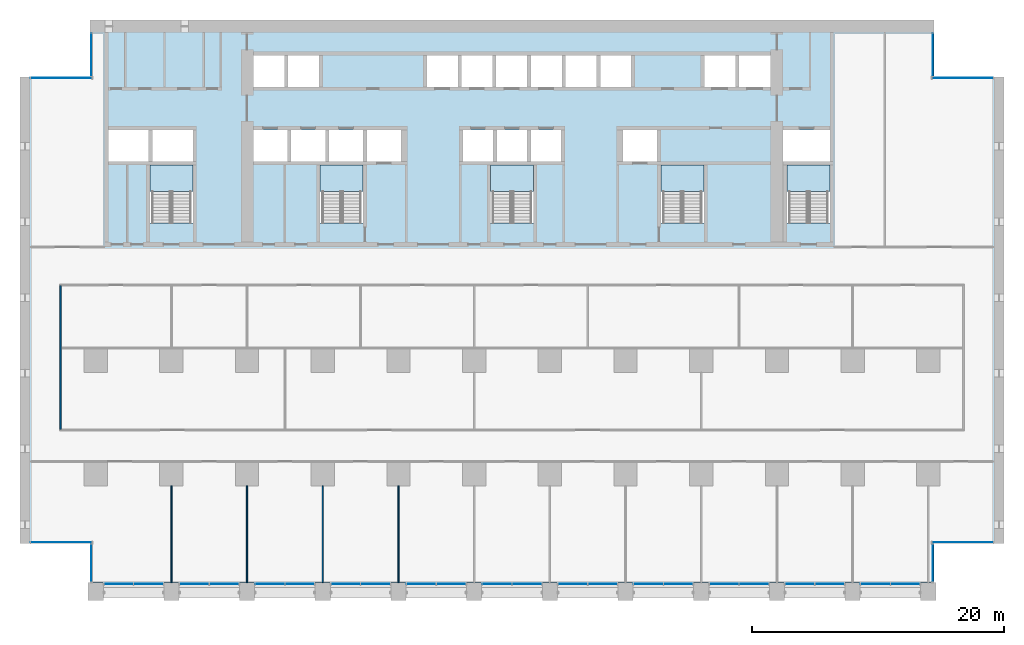
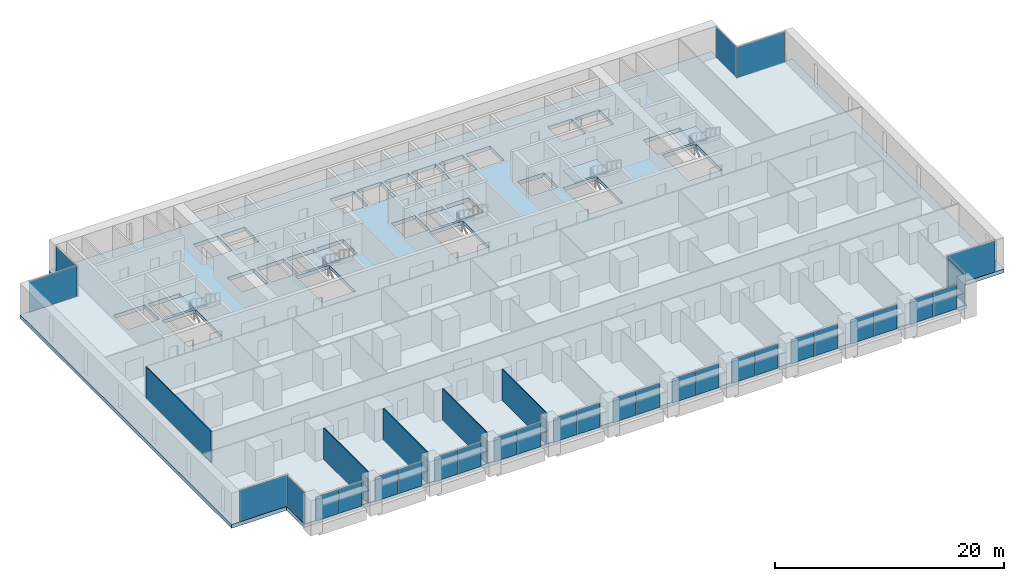
# One storey, part 7 of 18: 30 plates, 6 slabs, 5 walls, 24 elements without a shape of their own.
"""IFC4 building model written with IfcOpenShell, lengths in metres."""

from ifc_helpers import new_model, si_unit, direction, frame, frame_2d, origin, origin_2d, place, context, subcontext, project, spatial, polyline, rectangle, outline, extrude, material, layer, layer_set, type_object, element, aggregate, save


model = new_model("IFC4")

# Units and contexts
model_context = context("Model", 3, precision=1e-05, world=origin(), true_north=direction((0.0, 1.0)))
body_context = subcontext(model_context, "Body", "Model", "MODEL_VIEW")
ifc_project = project(units=[si_unit("LENGTHUNIT", "METRE"), si_unit("AREAUNIT", "SQUARE_METRE"), si_unit("VOLUMEUNIT", "CUBIC_METRE"), si_unit("PLANEANGLEUNIT", "RADIAN"), si_unit("MASSUNIT", "GRAM", prefix="KILO")], contexts=[model_context])

# Site, building, storey
site_placement = place(None, origin())
site = spatial("IfcSite", under=ifc_project, at=site_placement, CompositionType="ELEMENT")
building_placement = place(site_placement, origin())
building = spatial("IfcBuilding", under=site, at=building_placement, Name="Calvaro Tower", CompositionType="ELEMENT")
storey_placement = place(building_placement, frame((0.0, 0.0, 26.25)))
storey = spatial("IfcBuildingStorey", under=building, at=storey_placement, Name="L05", CompositionType="ELEMENT", Elevation=26.25)

# Slab
ifc_material_1 = material(Name="Concrete C40/50", Category="concrete")
ifc_layer_1 = layer(ifc_material_1, 0.39990234375)
ifc_layer_set_1 = layer_set([ifc_layer_1], Name="Concrete C40/50")
slab_type_1 = type_object("IfcSlabType", Name="Floor slab 400 C40/50", PredefinedType="FLOOR", material=ifc_layer_set_1)
slab_1_placement = place(storey_placement, frame((0.0, 0.0, -0.39990234375)))
element("IfcSlab", 1, at=slab_1_placement, inside=storey, type_object=slab_type_1, Name="Floor slab", PredefinedType="FLOOR", context=body_context, shape_type="SweptSolid", body=[
    extrude(outline(polyline([(72.449951171875, 4.5), (72.449951171875, 1.39990234375), (5.550048828125, 1.39990234375), (5.550048828125, 4.5), (0.0, 4.5), (0.0, 41.5), (5.550048828125, 41.5), (5.550048828125, 46.0), (72.449951171875, 46.0), (72.449951171875, 41.5), (78.0, 41.5), (78.0, 4.5), (72.449951171875, 4.5)]), holes=[polyline([(10.300048828125, 29.909912109375), (10.300048828125, 34.5), (12.0, 34.5), (13.699951171875, 34.5), (13.699951171875, 29.909912109375), (12.0, 29.909912109375), (10.300048828125, 29.909912109375)]), polyline([(23.800048828125, 29.909912109375), (23.800048828125, 34.5), (25.5, 34.5), (27.199951171875, 34.5), (27.199951171875, 29.909912109375), (25.5, 29.909912109375), (23.800048828125, 29.909912109375)]), polyline([(37.300048828125, 29.909912109375), (37.300048828125, 34.5), (39.0, 34.5), (40.699951171875, 34.5), (40.699951171875, 29.909912109375), (39.0, 29.909912109375), (37.300048828125, 29.909912109375)]), polyline([(50.800048828125, 29.909912109375), (50.800048828125, 34.5), (52.5, 34.5), (54.199951171875, 34.5), (54.199951171875, 29.909912109375), (52.5, 29.909912109375), (50.800048828125, 29.909912109375)]), polyline([(60.800048828125, 29.909912109375), (60.800048828125, 34.5), (62.5, 34.5), (64.199951171875, 34.5), (64.199951171875, 29.909912109375), (62.5, 29.909912109375), (60.800048828125, 29.909912109375)]), polyline([(18.5, 34.800048828125), (21.199951171875, 34.800048828125), (21.199951171875, 37.300048828125), (18.5, 37.300048828125), (18.5, 34.800048828125)]), polyline([(21.5, 34.800048828125), (24.199951171875, 34.800048828125), (24.199951171875, 37.300048828125), (21.5, 37.300048828125), (21.5, 34.800048828125)]), polyline([(24.5, 34.800048828125), (27.199951171875, 34.800048828125), (27.199951171875, 37.300048828125), (24.5, 37.300048828125), (24.5, 34.800048828125)]), polyline([(35.10009765625, 34.800048828125), (37.5, 34.800048828125), (37.5, 37.300048828125), (35.10009765625, 37.300048828125), (35.10009765625, 34.800048828125)]), polyline([(37.800048828125, 34.800048828125), (40.199951171875, 34.800048828125), (40.199951171875, 37.300048828125), (37.800048828125, 37.300048828125), (37.800048828125, 34.800048828125)]), polyline([(40.5, 34.800048828125), (42.89990234375, 34.800048828125), (42.89990234375, 37.300048828125), (40.5, 37.300048828125), (40.5, 34.800048828125)]), polyline([(18.5, 40.699951171875), (20.949951171875, 40.699951171875), (20.949951171875, 43.199951171875), (18.5, 43.199951171875), (18.5, 40.699951171875)]), polyline([(21.25, 40.699951171875), (23.699951171875, 40.699951171875), (23.699951171875, 43.199951171875), (21.25, 43.199951171875), (21.25, 40.699951171875)]), polyline([(32.25, 40.699951171875), (34.699951171875, 40.699951171875), (34.699951171875, 43.199951171875), (32.25, 43.199951171875), (32.25, 40.699951171875)]), polyline([(35.0, 40.699951171875), (37.449951171875, 40.699951171875), (37.449951171875, 43.199951171875), (35.0, 43.199951171875), (35.0, 40.699951171875)]), polyline([(37.75, 40.699951171875), (40.199951171875, 40.699951171875), (40.199951171875, 43.199951171875), (37.75, 43.199951171875), (37.75, 40.699951171875)]), polyline([(40.5, 40.699951171875), (42.949951171875, 40.699951171875), (42.949951171875, 43.199951171875), (40.5, 43.199951171875), (40.5, 40.699951171875)]), polyline([(43.25, 40.699951171875), (45.699951171875, 40.699951171875), (45.699951171875, 43.199951171875), (43.25, 43.199951171875), (43.25, 40.699951171875)]), polyline([(46.0, 40.699951171875), (48.449951171875, 40.699951171875), (48.449951171875, 43.199951171875), (46.0, 43.199951171875), (46.0, 40.699951171875)]), polyline([(54.25, 40.699951171875), (56.699951171875, 40.699951171875), (56.699951171875, 43.199951171875), (54.25, 43.199951171875), (54.25, 40.699951171875)]), polyline([(57.0, 40.699951171875), (59.5, 40.699951171875), (59.5, 43.199951171875), (57.0, 43.199951171875), (57.0, 40.699951171875)]), polyline([(7.0, 34.800048828125), (10.199951171875, 34.800048828125), (10.199951171875, 37.300048828125), (7.0, 37.300048828125), (7.0, 34.800048828125)]), polyline([(10.5, 34.800048828125), (13.699951171875, 34.800048828125), (13.699951171875, 37.300048828125), (10.5, 37.300048828125), (10.5, 34.800048828125)]), polyline([(60.5, 34.800048828125), (64.199951171875, 34.800048828125), (64.199951171875, 37.300048828125), (60.5, 37.300048828125), (60.5, 34.800048828125)]), polyline([(27.5, 34.800048828125), (30.199951171875, 34.800048828125), (30.199951171875, 37.300048828125), (27.5, 37.300048828125), (27.5, 34.800048828125)]), polyline([(47.800048828125, 34.800048828125), (50.5, 34.800048828125), (50.5, 37.300048828125), (47.800048828125, 37.300048828125), (47.800048828125, 34.800048828125)])]), origin(), (0.0, 0.0, 1.0), 0.39990234375),
])

# Curtain wall, plates
ifc_material_2 = material(Name="Anodised aluminium", Category="aluminium")
curtain_wall_type = type_object("IfcCurtainWallType", Name="Office curtain wall, lower zone", PredefinedType="NOTDEFINED", material=ifc_material_2)
curtain_wall_1_placement = place(storey_placement, origin())
curtain_wall_1 = element("IfcCurtainWall", 2, at=curtain_wall_1_placement, inside=storey, type_object=curtain_wall_type, Name="CW1 south curtain wall", PredefinedType="NOTDEFINED")
ifc_material_3 = material(Name="Glass", Category="glass")
ifc_layer_2 = layer(ifc_material_3, 0.028076171875)
ifc_layer_set_2 = layer_set([ifc_layer_2], Name="Glass")
plate_type = type_object("IfcPlateType", Name="Glass panel S1 28", PredefinedType="CURTAIN_PANEL", material=ifc_layer_set_2)
plate_1_placement = place(storey_placement, frame((7.81494140625, 1.300048828125, 0.0), z_axis=(0.0, 0.0, 1.0), x_axis=(1.0, 0.0, 0.0)))
plate_1 = element("IfcPlate", 3, at=plate_1_placement, type_object=plate_type, Name="CW1 glass panel 1.1", PredefinedType="CURTAIN_PANEL", context=body_context, shape_type="SweptSolid", body=[
    extrude(rectangle(XDim=2.31005859375, YDim=0.028076171875, at=origin_2d()), origin(), (0.0, 0.0, 1.0), 2.550048828125),
])
plate_2_placement = place(storey_placement, frame((10.18505859375, 1.300048828125, 0.0), z_axis=(0.0, 0.0, 1.0), x_axis=(1.0, 0.0, 0.0)))
plate_2 = element("IfcPlate", 4, at=plate_2_placement, type_object=plate_type, Name="CW1 glass panel 2.1", PredefinedType="CURTAIN_PANEL", context=body_context, shape_type="SweptSolid", body=[
    extrude(rectangle(XDim=2.31005859375, YDim=0.028076171875, at=origin_2d()), origin(), (0.0, 0.0, 1.0), 2.550048828125),
])
aggregate(curtain_wall_1, [plate_1, plate_2])

curtain_wall_2_placement = place(storey_placement, origin())
curtain_wall_2 = element("IfcCurtainWall", 5, at=curtain_wall_2_placement, inside=storey, type_object=curtain_wall_type, Name="CW1 south curtain wall", PredefinedType="NOTDEFINED")
plate_3_placement = place(storey_placement, frame((13.81494140625, 1.300048828125, 0.0), z_axis=(0.0, 0.0, 1.0), x_axis=(1.0, 0.0, 0.0)))
plate_3 = element("IfcPlate", 6, at=plate_3_placement, type_object=plate_type, Name="CW1 glass panel 1.1", PredefinedType="CURTAIN_PANEL", context=body_context, shape_type="SweptSolid", body=[
    extrude(rectangle(XDim=2.31005859375, YDim=0.028076171875, at=origin_2d()), origin(), (0.0, 0.0, 1.0), 2.550048828125),
])
plate_4_placement = place(storey_placement, frame((16.18505859375, 1.300048828125, 0.0), z_axis=(0.0, 0.0, 1.0), x_axis=(1.0, 0.0, 0.0)))
plate_4 = element("IfcPlate", 7, at=plate_4_placement, type_object=plate_type, Name="CW1 glass panel 2.1", PredefinedType="CURTAIN_PANEL", context=body_context, shape_type="SweptSolid", body=[
    extrude(rectangle(XDim=2.31005859375, YDim=0.028076171875, at=origin_2d()), origin(), (0.0, 0.0, 1.0), 2.550048828125),
])
aggregate(curtain_wall_2, [plate_3, plate_4])

curtain_wall_3_placement = place(storey_placement, origin())
curtain_wall_3 = element("IfcCurtainWall", 8, at=curtain_wall_3_placement, inside=storey, type_object=curtain_wall_type, Name="CW1 south curtain wall", PredefinedType="NOTDEFINED")
plate_5_placement = place(storey_placement, frame((19.81494140625, 1.300048828125, 0.0), z_axis=(0.0, 0.0, 1.0), x_axis=(1.0, 0.0, 0.0)))
plate_5 = element("IfcPlate", 9, at=plate_5_placement, type_object=plate_type, Name="CW1 glass panel 1.1", PredefinedType="CURTAIN_PANEL", context=body_context, shape_type="SweptSolid", body=[
    extrude(rectangle(XDim=2.31005859375, YDim=0.028076171875, at=origin_2d()), origin(), (0.0, 0.0, 1.0), 2.550048828125),
])
plate_6_placement = place(storey_placement, frame((22.18505859375, 1.300048828125, 0.0), z_axis=(0.0, 0.0, 1.0), x_axis=(1.0, 0.0, 0.0)))
plate_6 = element("IfcPlate", 10, at=plate_6_placement, type_object=plate_type, Name="CW1 glass panel 2.1", PredefinedType="CURTAIN_PANEL", context=body_context, shape_type="SweptSolid", body=[
    extrude(rectangle(XDim=2.31005859375, YDim=0.028076171875, at=origin_2d()), origin(), (0.0, 0.0, 1.0), 2.550048828125),
])
aggregate(curtain_wall_3, [plate_5, plate_6])

curtain_wall_4_placement = place(storey_placement, origin())
curtain_wall_4 = element("IfcCurtainWall", 11, at=curtain_wall_4_placement, inside=storey, type_object=curtain_wall_type, Name="CW1 south curtain wall", PredefinedType="NOTDEFINED")
plate_7_placement = place(storey_placement, frame((25.81494140625, 1.300048828125, 0.0), z_axis=(0.0, 0.0, 1.0), x_axis=(1.0, 0.0, 0.0)))
plate_7 = element("IfcPlate", 12, at=plate_7_placement, type_object=plate_type, Name="CW1 glass panel 1.1", PredefinedType="CURTAIN_PANEL", context=body_context, shape_type="SweptSolid", body=[
    extrude(rectangle(XDim=2.31005859375, YDim=0.028076171875, at=origin_2d()), origin(), (0.0, 0.0, 1.0), 2.550048828125),
])
plate_8_placement = place(storey_placement, frame((28.18505859375, 1.300048828125, 0.0), z_axis=(0.0, 0.0, 1.0), x_axis=(1.0, 0.0, 0.0)))
plate_8 = element("IfcPlate", 13, at=plate_8_placement, type_object=plate_type, Name="CW1 glass panel 2.1", PredefinedType="CURTAIN_PANEL", context=body_context, shape_type="SweptSolid", body=[
    extrude(rectangle(XDim=2.31005859375, YDim=0.028076171875, at=origin_2d()), origin(), (0.0, 0.0, 1.0), 2.550048828125),
])
aggregate(curtain_wall_4, [plate_7, plate_8])

curtain_wall_5_placement = place(storey_placement, origin())
curtain_wall_5 = element("IfcCurtainWall", 14, at=curtain_wall_5_placement, inside=storey, type_object=curtain_wall_type, Name="CW1 south curtain wall", PredefinedType="NOTDEFINED")
plate_9_placement = place(storey_placement, frame((31.81494140625, 1.300048828125, 0.0), z_axis=(0.0, 0.0, 1.0), x_axis=(1.0, 0.0, 0.0)))
plate_9 = element("IfcPlate", 15, at=plate_9_placement, type_object=plate_type, Name="CW1 glass panel 1.1", PredefinedType="CURTAIN_PANEL", context=body_context, shape_type="SweptSolid", body=[
    extrude(rectangle(XDim=2.31005859375, YDim=0.028076171875, at=origin_2d()), origin(), (0.0, 0.0, 1.0), 2.550048828125),
])
plate_10_placement = place(storey_placement, frame((34.18505859375, 1.300048828125, 0.0), z_axis=(0.0, 0.0, 1.0), x_axis=(1.0, 0.0, 0.0)))
plate_10 = element("IfcPlate", 16, at=plate_10_placement, type_object=plate_type, Name="CW1 glass panel 2.1", PredefinedType="CURTAIN_PANEL", context=body_context, shape_type="SweptSolid", body=[
    extrude(rectangle(XDim=2.31005859375, YDim=0.028076171875, at=origin_2d()), origin(), (0.0, 0.0, 1.0), 2.550048828125),
])
aggregate(curtain_wall_5, [plate_9, plate_10])

curtain_wall_6_placement = place(storey_placement, origin())
curtain_wall_6 = element("IfcCurtainWall", 17, at=curtain_wall_6_placement, inside=storey, type_object=curtain_wall_type, Name="CW1 south curtain wall", PredefinedType="NOTDEFINED")
plate_11_placement = place(storey_placement, frame((37.81494140625, 1.300048828125, 0.0), z_axis=(0.0, 0.0, 1.0), x_axis=(1.0, 0.0, 0.0)))
plate_11 = element("IfcPlate", 18, at=plate_11_placement, type_object=plate_type, Name="CW1 glass panel 1.1", PredefinedType="CURTAIN_PANEL", context=body_context, shape_type="SweptSolid", body=[
    extrude(rectangle(XDim=2.31005859375, YDim=0.028076171875, at=origin_2d()), origin(), (0.0, 0.0, 1.0), 2.550048828125),
])
plate_12_placement = place(storey_placement, frame((40.18505859375, 1.300048828125, 0.0), z_axis=(0.0, 0.0, 1.0), x_axis=(1.0, 0.0, 0.0)))
plate_12 = element("IfcPlate", 19, at=plate_12_placement, type_object=plate_type, Name="CW1 glass panel 2.1", PredefinedType="CURTAIN_PANEL", context=body_context, shape_type="SweptSolid", body=[
    extrude(rectangle(XDim=2.31005859375, YDim=0.028076171875, at=origin_2d()), origin(), (0.0, 0.0, 1.0), 2.550048828125),
])
aggregate(curtain_wall_6, [plate_11, plate_12])

curtain_wall_7_placement = place(storey_placement, origin())
curtain_wall_7 = element("IfcCurtainWall", 20, at=curtain_wall_7_placement, inside=storey, type_object=curtain_wall_type, Name="CW1 south curtain wall", PredefinedType="NOTDEFINED")
plate_13_placement = place(storey_placement, frame((43.81494140625, 1.300048828125, 0.0), z_axis=(0.0, 0.0, 1.0), x_axis=(1.0, 0.0, 0.0)))
plate_13 = element("IfcPlate", 21, at=plate_13_placement, type_object=plate_type, Name="CW1 glass panel 1.1", PredefinedType="CURTAIN_PANEL", context=body_context, shape_type="SweptSolid", body=[
    extrude(rectangle(XDim=2.31005859375, YDim=0.028076171875, at=origin_2d()), origin(), (0.0, 0.0, 1.0), 2.550048828125),
])
plate_14_placement = place(storey_placement, frame((46.18505859375, 1.300048828125, 0.0), z_axis=(0.0, 0.0, 1.0), x_axis=(1.0, 0.0, 0.0)))
plate_14 = element("IfcPlate", 22, at=plate_14_placement, type_object=plate_type, Name="CW1 glass panel 2.1", PredefinedType="CURTAIN_PANEL", context=body_context, shape_type="SweptSolid", body=[
    extrude(rectangle(XDim=2.31005859375, YDim=0.028076171875, at=origin_2d()), origin(), (0.0, 0.0, 1.0), 2.550048828125),
])
aggregate(curtain_wall_7, [plate_13, plate_14])

curtain_wall_8_placement = place(storey_placement, origin())
curtain_wall_8 = element("IfcCurtainWall", 23, at=curtain_wall_8_placement, inside=storey, type_object=curtain_wall_type, Name="CW1 south curtain wall", PredefinedType="NOTDEFINED")
plate_15_placement = place(storey_placement, frame((49.81494140625, 1.300048828125, 0.0), z_axis=(0.0, 0.0, 1.0), x_axis=(1.0, 0.0, 0.0)))
plate_15 = element("IfcPlate", 24, at=plate_15_placement, type_object=plate_type, Name="CW1 glass panel 1.1", PredefinedType="CURTAIN_PANEL", context=body_context, shape_type="SweptSolid", body=[
    extrude(rectangle(XDim=2.31005859375, YDim=0.028076171875, at=origin_2d()), origin(), (0.0, 0.0, 1.0), 2.550048828125),
])
plate_16_placement = place(storey_placement, frame((52.18505859375, 1.300048828125, 0.0), z_axis=(0.0, 0.0, 1.0), x_axis=(1.0, 0.0, 0.0)))
plate_16 = element("IfcPlate", 25, at=plate_16_placement, type_object=plate_type, Name="CW1 glass panel 2.1", PredefinedType="CURTAIN_PANEL", context=body_context, shape_type="SweptSolid", body=[
    extrude(rectangle(XDim=2.31005859375, YDim=0.028076171875, at=origin_2d()), origin(), (0.0, 0.0, 1.0), 2.550048828125),
])
aggregate(curtain_wall_8, [plate_15, plate_16])

curtain_wall_9_placement = place(storey_placement, origin())
curtain_wall_9 = element("IfcCurtainWall", 26, at=curtain_wall_9_placement, inside=storey, type_object=curtain_wall_type, Name="CW1 south curtain wall", PredefinedType="NOTDEFINED")
plate_17_placement = place(storey_placement, frame((55.81494140625, 1.300048828125, 0.0), z_axis=(0.0, 0.0, 1.0), x_axis=(1.0, 0.0, 0.0)))
plate_17 = element("IfcPlate", 27, at=plate_17_placement, type_object=plate_type, Name="CW1 glass panel 1.1", PredefinedType="CURTAIN_PANEL", context=body_context, shape_type="SweptSolid", body=[
    extrude(rectangle(XDim=2.31005859375, YDim=0.028076171875, at=origin_2d()), origin(), (0.0, 0.0, 1.0), 2.550048828125),
])
plate_18_placement = place(storey_placement, frame((58.18505859375, 1.300048828125, 0.0), z_axis=(0.0, 0.0, 1.0), x_axis=(1.0, 0.0, 0.0)))
plate_18 = element("IfcPlate", 28, at=plate_18_placement, type_object=plate_type, Name="CW1 glass panel 2.1", PredefinedType="CURTAIN_PANEL", context=body_context, shape_type="SweptSolid", body=[
    extrude(rectangle(XDim=2.31005859375, YDim=0.028076171875, at=origin_2d()), origin(), (0.0, 0.0, 1.0), 2.550048828125),
])
aggregate(curtain_wall_9, [plate_17, plate_18])

curtain_wall_10_placement = place(storey_placement, origin())
curtain_wall_10 = element("IfcCurtainWall", 29, at=curtain_wall_10_placement, inside=storey, type_object=curtain_wall_type, Name="CW1 south curtain wall", PredefinedType="NOTDEFINED")
plate_19_placement = place(storey_placement, frame((61.81494140625, 1.300048828125, 0.0), z_axis=(0.0, 0.0, 1.0), x_axis=(1.0, 0.0, 0.0)))
plate_19 = element("IfcPlate", 30, at=plate_19_placement, type_object=plate_type, Name="CW1 glass panel 1.1", PredefinedType="CURTAIN_PANEL", context=body_context, shape_type="SweptSolid", body=[
    extrude(rectangle(XDim=2.31005859375, YDim=0.028076171875, at=origin_2d()), origin(), (0.0, 0.0, 1.0), 2.550048828125),
])
plate_20_placement = place(storey_placement, frame((64.18505859375, 1.300048828125, 0.0), z_axis=(0.0, 0.0, 1.0), x_axis=(1.0, 0.0, 0.0)))
plate_20 = element("IfcPlate", 31, at=plate_20_placement, type_object=plate_type, Name="CW1 glass panel 2.1", PredefinedType="CURTAIN_PANEL", context=body_context, shape_type="SweptSolid", body=[
    extrude(rectangle(XDim=2.31005859375, YDim=0.028076171875, at=origin_2d()), origin(), (0.0, 0.0, 1.0), 2.550048828125),
])
aggregate(curtain_wall_10, [plate_19, plate_20])

curtain_wall_11_placement = place(storey_placement, origin())
curtain_wall_11 = element("IfcCurtainWall", 32, at=curtain_wall_11_placement, inside=storey, type_object=curtain_wall_type, Name="CW1 south curtain wall", PredefinedType="NOTDEFINED")
plate_21_placement = place(storey_placement, frame((67.81494140625, 1.300048828125, 0.0), z_axis=(0.0, 0.0, 1.0), x_axis=(1.0, 0.0, 0.0)))
plate_21 = element("IfcPlate", 33, at=plate_21_placement, type_object=plate_type, Name="CW1 glass panel 1.1", PredefinedType="CURTAIN_PANEL", context=body_context, shape_type="SweptSolid", body=[
    extrude(rectangle(XDim=2.31005859375, YDim=0.028076171875, at=origin_2d()), origin(), (0.0, 0.0, 1.0), 2.550048828125),
])
plate_22_placement = place(storey_placement, frame((70.18505859375, 1.300048828125, 0.0), z_axis=(0.0, 0.0, 1.0), x_axis=(1.0, 0.0, 0.0)))
plate_22 = element("IfcPlate", 34, at=plate_22_placement, type_object=plate_type, Name="CW1 glass panel 2.1", PredefinedType="CURTAIN_PANEL", context=body_context, shape_type="SweptSolid", body=[
    extrude(rectangle(XDim=2.31005859375, YDim=0.028076171875, at=origin_2d()), origin(), (0.0, 0.0, 1.0), 2.550048828125),
])
aggregate(curtain_wall_11, [plate_21, plate_22])

# Curtain wall, plate
curtain_wall_12_placement = place(storey_placement, origin())
curtain_wall_12 = element("IfcCurtainWall", 35, at=curtain_wall_12_placement, inside=storey, type_object=curtain_wall_type, Name="CW1 corner curtain wall", PredefinedType="NOTDEFINED")
plate_23_placement = place(storey_placement, frame((5.64990234375, 2.949951171875, 0.0), z_axis=(0.0, 0.0, 1.0), x_axis=(0.0, 1.0, 0.0)))
plate_23 = element("IfcPlate", 36, at=plate_23_placement, type_object=plate_type, Name="CW1 glass panel 1.1", PredefinedType="CURTAIN_PANEL", context=body_context, shape_type="SweptSolid", body=[
    extrude(rectangle(XDim=2.97998046875, YDim=0.028076171875, at=origin_2d()), origin(), (0.0, 0.0, 1.0), 3.25),
])
aggregate(curtain_wall_12, [plate_23])

curtain_wall_13_placement = place(storey_placement, origin())
curtain_wall_13 = element("IfcCurtainWall", 37, at=curtain_wall_13_placement, inside=storey, type_object=curtain_wall_type, Name="CW1 corner curtain wall", PredefinedType="NOTDEFINED")
plate_24_placement = place(storey_placement, frame((3.27490234375, 4.60009765625, 0.0), z_axis=(0.0, 0.0, 1.0), x_axis=(1.0, 0.0, 0.0)))
plate_24 = element("IfcPlate", 38, at=plate_24_placement, type_object=plate_type, Name="CW1 glass panel 1.1", PredefinedType="CURTAIN_PANEL", context=body_context, shape_type="SweptSolid", body=[
    extrude(rectangle(XDim=4.830078125, YDim=0.028076171875, at=origin_2d()), origin(), (0.0, 0.0, 1.0), 3.25),
])
aggregate(curtain_wall_13, [plate_24])

curtain_wall_14_placement = place(storey_placement, origin())
curtain_wall_14 = element("IfcCurtainWall", 39, at=curtain_wall_14_placement, inside=storey, type_object=curtain_wall_type, Name="CW1 corner curtain wall", PredefinedType="NOTDEFINED")
plate_25_placement = place(storey_placement, frame((5.64990234375, 43.25, 0.0), z_axis=(0.0, 0.0, 1.0), x_axis=(0.0, 1.0, 0.0)))
plate_25 = element("IfcPlate", 40, at=plate_25_placement, type_object=plate_type, Name="CW1 glass panel 1.1", PredefinedType="CURTAIN_PANEL", context=body_context, shape_type="SweptSolid", body=[
    extrude(rectangle(XDim=3.3798828125, YDim=0.028076171875, at=origin_2d()), origin(), (0.0, 0.0, 1.0), 3.25),
])
aggregate(curtain_wall_14, [plate_25])

curtain_wall_15_placement = place(storey_placement, origin())
curtain_wall_15 = element("IfcCurtainWall", 41, at=curtain_wall_15_placement, inside=storey, type_object=curtain_wall_type, Name="CW1 corner curtain wall", PredefinedType="NOTDEFINED")
plate_26_placement = place(storey_placement, frame((3.27490234375, 41.39990234375, 0.0), z_axis=(0.0, 0.0, 1.0), x_axis=(1.0, 0.0, 0.0)))
plate_26 = element("IfcPlate", 42, at=plate_26_placement, type_object=plate_type, Name="CW1 glass panel 1.1", PredefinedType="CURTAIN_PANEL", context=body_context, shape_type="SweptSolid", body=[
    extrude(rectangle(XDim=4.830078125, YDim=0.028076171875, at=origin_2d()), origin(), (0.0, 0.0, 1.0), 3.25),
])
aggregate(curtain_wall_15, [plate_26])

curtain_wall_16_placement = place(storey_placement, origin())
curtain_wall_16 = element("IfcCurtainWall", 43, at=curtain_wall_16_placement, inside=storey, type_object=curtain_wall_type, Name="CW1 corner curtain wall", PredefinedType="NOTDEFINED")
plate_27_placement = place(storey_placement, frame((72.35009765625, 2.949951171875, 0.0), z_axis=(0.0, 0.0, 1.0), x_axis=(0.0, 1.0, 0.0)))
plate_27 = element("IfcPlate", 44, at=plate_27_placement, type_object=plate_type, Name="CW1 glass panel 1.1", PredefinedType="CURTAIN_PANEL", context=body_context, shape_type="SweptSolid", body=[
    extrude(rectangle(XDim=2.97998046875, YDim=0.028076171875, at=origin_2d()), origin(), (0.0, 0.0, 1.0), 3.25),
])
aggregate(curtain_wall_16, [plate_27])

curtain_wall_17_placement = place(storey_placement, origin())
curtain_wall_17 = element("IfcCurtainWall", 45, at=curtain_wall_17_placement, inside=storey, type_object=curtain_wall_type, Name="CW1 corner curtain wall", PredefinedType="NOTDEFINED")
plate_28_placement = place(storey_placement, frame((74.72509765625, 4.60009765625, 0.0), z_axis=(0.0, 0.0, 1.0), x_axis=(1.0, 0.0, 0.0)))
plate_28 = element("IfcPlate", 46, at=plate_28_placement, type_object=plate_type, Name="CW1 glass panel 1.1", PredefinedType="CURTAIN_PANEL", context=body_context, shape_type="SweptSolid", body=[
    extrude(rectangle(XDim=4.830078125, YDim=0.028076171875, at=origin_2d()), origin(), (0.0, 0.0, 1.0), 3.25),
])
aggregate(curtain_wall_17, [plate_28])

curtain_wall_18_placement = place(storey_placement, origin())
curtain_wall_18 = element("IfcCurtainWall", 47, at=curtain_wall_18_placement, inside=storey, type_object=curtain_wall_type, Name="CW1 corner curtain wall", PredefinedType="NOTDEFINED")
plate_29_placement = place(storey_placement, frame((72.35009765625, 43.25, 0.0), z_axis=(0.0, 0.0, 1.0), x_axis=(0.0, 1.0, 0.0)))
plate_29 = element("IfcPlate", 48, at=plate_29_placement, type_object=plate_type, Name="CW1 glass panel 1.1", PredefinedType="CURTAIN_PANEL", context=body_context, shape_type="SweptSolid", body=[
    extrude(rectangle(XDim=3.3798828125, YDim=0.028076171875, at=origin_2d()), origin(), (0.0, 0.0, 1.0), 3.25),
])
aggregate(curtain_wall_18, [plate_29])

curtain_wall_19_placement = place(storey_placement, origin())
curtain_wall_19 = element("IfcCurtainWall", 49, at=curtain_wall_19_placement, inside=storey, type_object=curtain_wall_type, Name="CW1 corner curtain wall", PredefinedType="NOTDEFINED")
plate_30_placement = place(storey_placement, frame((74.72509765625, 41.39990234375, 0.0), z_axis=(0.0, 0.0, 1.0), x_axis=(1.0, 0.0, 0.0)))
plate_30 = element("IfcPlate", 50, at=plate_30_placement, type_object=plate_type, Name="CW1 glass panel 1.1", PredefinedType="CURTAIN_PANEL", context=body_context, shape_type="SweptSolid", body=[
    extrude(rectangle(XDim=4.830078125, YDim=0.028076171875, at=origin_2d()), origin(), (0.0, 0.0, 1.0), 3.25),
])
aggregate(curtain_wall_19, [plate_30])

# Stair, slab
ifc_material_4 = material(Name="Concrete C40/50", Category="concrete")
stair_type = type_object("IfcStairType", Name="Exit stair 1400 2 flights", PredefinedType="HALF_TURN_STAIR", material=ifc_material_4)
stair_1_placement = place(storey_placement, origin())
stair_1 = element("IfcStair", 51, at=stair_1_placement, inside=storey, type_object=stair_type, Name="Exit stair S1", PredefinedType="HALF_TURN_STAIR")
ifc_material_5 = material(Name="Concrete C40/50", Category="concrete")
ifc_layer_3 = layer(ifc_material_5, 0.199951171875)
ifc_layer_set_3 = layer_set([ifc_layer_3], Name="Concrete C40/50")
slab_type_2 = type_object("IfcSlabType", Name="Stair landing", PredefinedType="LANDING", material=ifc_layer_set_3)
slab_2_placement = place(storey_placement, frame((0.0, 0.0, 1.675048828125)))
slab_2 = element("IfcSlab", 52, at=slab_2_placement, type_object=slab_type_2, Name="Exit stair 1, landing 1", PredefinedType="LANDING", context=body_context, shape_type="SweptSolid", body=[
    extrude(outline(polyline([(11.89990234375, 32.389892578125), (10.5, 32.389892578125), (10.5, 32.39990234375), (10.300048828125, 32.39990234375), (10.300048828125, 34.5), (10.5, 34.5), (11.89990234375, 34.5), (12.10009765625, 34.5), (13.5, 34.5), (13.699951171875, 34.5), (13.699951171875, 32.39990234375), (13.5, 32.39990234375), (13.5, 32.389892578125), (12.10009765625, 32.389892578125), (12.10009765625, 32.39990234375), (11.89990234375, 32.39990234375), (11.89990234375, 32.389892578125)])), origin(), (0.0, 0.0, 1.0), 0.199951171875),
])
aggregate(stair_1, [slab_2])

stair_2_placement = place(storey_placement, origin())
stair_2 = element("IfcStair", 53, at=stair_2_placement, inside=storey, type_object=stair_type, Name="Exit stair S2", PredefinedType="HALF_TURN_STAIR")
slab_3_placement = place(storey_placement, frame((0.0, 0.0, 1.675048828125)))
slab_3 = element("IfcSlab", 54, at=slab_3_placement, type_object=slab_type_2, Name="Exit stair 2, landing 1", PredefinedType="LANDING", context=body_context, shape_type="SweptSolid", body=[
    extrude(outline(polyline([(25.39990234375, 32.389892578125), (24.0, 32.389892578125), (24.0, 32.39990234375), (23.800048828125, 32.39990234375), (23.800048828125, 34.5), (24.0, 34.5), (25.39990234375, 34.5), (25.60009765625, 34.5), (27.0, 34.5), (27.199951171875, 34.5), (27.199951171875, 32.39990234375), (27.0, 32.39990234375), (27.0, 32.389892578125), (25.60009765625, 32.389892578125), (25.60009765625, 32.39990234375), (25.39990234375, 32.39990234375), (25.39990234375, 32.389892578125)])), origin(), (0.0, 0.0, 1.0), 0.199951171875),
])
aggregate(stair_2, [slab_3])

stair_3_placement = place(storey_placement, origin())
stair_3 = element("IfcStair", 55, at=stair_3_placement, inside=storey, type_object=stair_type, Name="Exit stair S3", PredefinedType="HALF_TURN_STAIR")
slab_4_placement = place(storey_placement, frame((0.0, 0.0, 1.675048828125)))
slab_4 = element("IfcSlab", 56, at=slab_4_placement, type_object=slab_type_2, Name="Exit stair 3, landing 1", PredefinedType="LANDING", context=body_context, shape_type="SweptSolid", body=[
    extrude(outline(polyline([(38.89990234375, 32.389892578125), (37.5, 32.389892578125), (37.5, 32.39990234375), (37.300048828125, 32.39990234375), (37.300048828125, 34.5), (37.5, 34.5), (38.89990234375, 34.5), (39.10009765625, 34.5), (40.5, 34.5), (40.699951171875, 34.5), (40.699951171875, 32.39990234375), (40.5, 32.39990234375), (40.5, 32.389892578125), (39.10009765625, 32.389892578125), (39.10009765625, 32.39990234375), (38.89990234375, 32.39990234375), (38.89990234375, 32.389892578125)])), origin(), (0.0, 0.0, 1.0), 0.199951171875),
])
aggregate(stair_3, [slab_4])

stair_4_placement = place(storey_placement, origin())
stair_4 = element("IfcStair", 57, at=stair_4_placement, inside=storey, type_object=stair_type, Name="Exit stair S4", PredefinedType="HALF_TURN_STAIR")
slab_5_placement = place(storey_placement, frame((0.0, 0.0, 1.675048828125)))
slab_5 = element("IfcSlab", 58, at=slab_5_placement, type_object=slab_type_2, Name="Exit stair 4, landing 1", PredefinedType="LANDING", context=body_context, shape_type="SweptSolid", body=[
    extrude(outline(polyline([(52.39990234375, 32.389892578125), (51.0, 32.389892578125), (51.0, 32.39990234375), (50.800048828125, 32.39990234375), (50.800048828125, 34.5), (51.0, 34.5), (52.39990234375, 34.5), (52.60009765625, 34.5), (54.0, 34.5), (54.199951171875, 34.5), (54.199951171875, 32.39990234375), (54.0, 32.39990234375), (54.0, 32.389892578125), (52.60009765625, 32.389892578125), (52.60009765625, 32.39990234375), (52.39990234375, 32.39990234375), (52.39990234375, 32.389892578125)])), origin(), (0.0, 0.0, 1.0), 0.199951171875),
])
aggregate(stair_4, [slab_5])

stair_5_placement = place(storey_placement, origin())
stair_5 = element("IfcStair", 59, at=stair_5_placement, inside=storey, type_object=stair_type, Name="Exit stair S5", PredefinedType="HALF_TURN_STAIR")
slab_6_placement = place(storey_placement, frame((0.0, 0.0, 1.675048828125)))
slab_6 = element("IfcSlab", 60, at=slab_6_placement, type_object=slab_type_2, Name="Exit stair 5, landing 1", PredefinedType="LANDING", context=body_context, shape_type="SweptSolid", body=[
    extrude(outline(polyline([(62.39990234375, 32.389892578125), (61.0, 32.389892578125), (61.0, 32.39990234375), (60.800048828125, 32.39990234375), (60.800048828125, 34.5), (61.0, 34.5), (62.39990234375, 34.5), (62.60009765625, 34.5), (64.0, 34.5), (64.199951171875, 34.5), (64.199951171875, 32.39990234375), (64.0, 32.39990234375), (64.0, 32.389892578125), (62.60009765625, 32.389892578125), (62.60009765625, 32.39990234375), (62.39990234375, 32.39990234375), (62.39990234375, 32.389892578125)])), origin(), (0.0, 0.0, 1.0), 0.199951171875),
])
aggregate(stair_5, [slab_6])

# Walls
ifc_material_6 = material(Name="Plasterboard on steel studs", Category="steel")
ifc_layer_4 = layer(ifc_material_6, 0.10009765625)
ifc_layer_set_4 = layer_set([ifc_layer_4], Name="Plasterboard on steel studs")
wall_type = type_object("IfcWallType", Name="Partition 100", PredefinedType="PARTITIONING", material=ifc_layer_set_4)
wall_placement = place(storey_placement, frame((3.199951171875, 13.550048828125, 0.0), z_axis=(0.0, 0.0, 1.0), x_axis=(0.0, 1.0, 0.0)))
element("IfcWall", 61, at=wall_placement, inside=storey, type_object=wall_type, Name="Partition T07.W007", PredefinedType="PARTITIONING", context=body_context, shape_type="SweptSolid", body=[
    extrude(rectangle(XDim=11.39990234375, YDim=0.10009765625, at=frame_2d((5.699951171875, 0.0))), origin(), (0.0, 0.0, 1.0), 3.35009765625),
])
for number, where, z_axis, x_axis, name in (
    (62, (12.0, 1.39990234375, 0.0), (0.0, 0.0, 1.0), (0.0, 1.0, 0.0), "Partition T07.W008"),
    (63, (18.0, 1.39990234375, 0.0), (0.0, 0.0, 1.0), (0.0, 1.0, 0.0), "Partition T07.W010"),
    (64, (24.0, 1.39990234375, 0.0), (0.0, 0.0, 1.0), (0.0, 1.0, 0.0), "Partition T07.W013"),
    (65, (30.0, 1.39990234375, 0.0), (0.0, 0.0, 1.0), (0.0, 1.0, 0.0), "Partition T07.W015"),
):
    element("IfcWall", number, at=place(storey_placement, frame(where, z_axis=z_axis, x_axis=x_axis)), inside=storey, type_object=wall_type, Name=name, PredefinedType="PARTITIONING", context=body_context, shape_type="SweptSolid", body=[
        extrude(rectangle(XDim=7.675048828125, YDim=0.10009765625, at=frame_2d((3.83740234375, 0.0))), origin(), (0.0, 0.0, 1.0), 3.35009765625),
    ])

save(model, "model.ifc")
